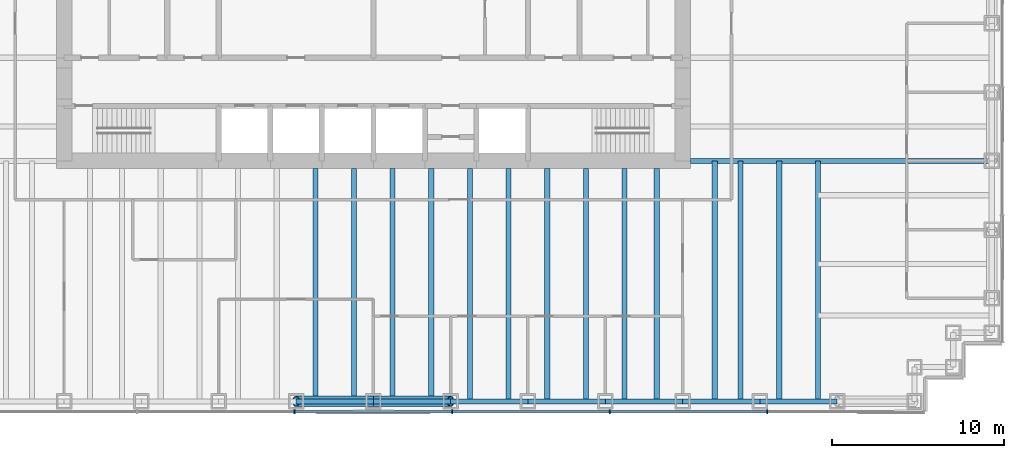
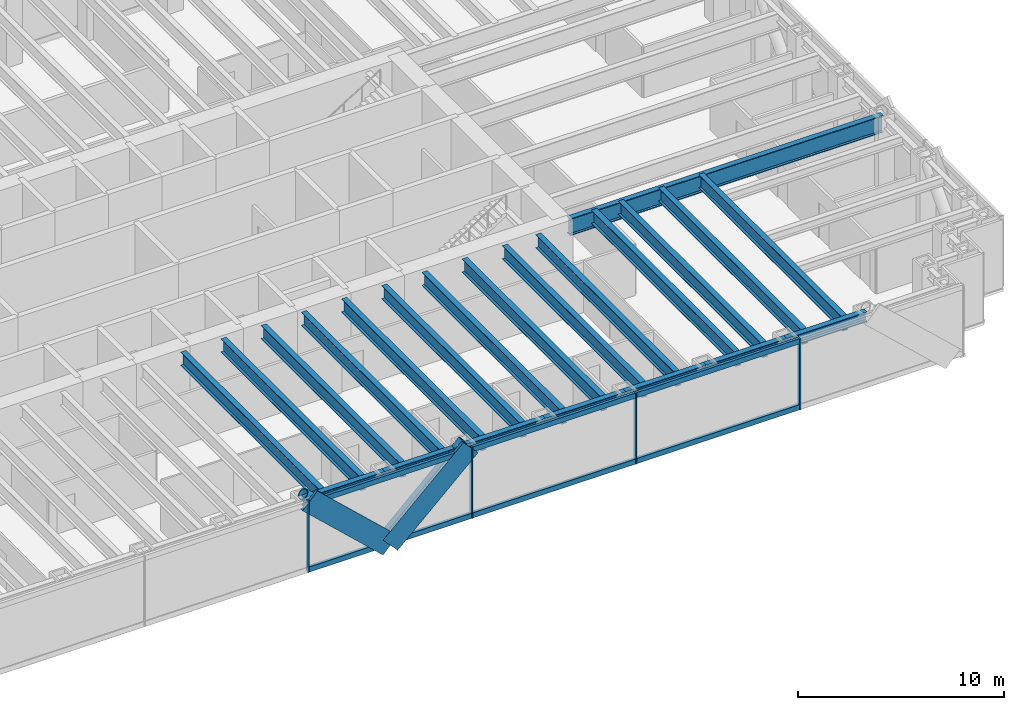
# One storey, part 4 of 15: 22 beams, 14 members, 1 element without a shape of its own.
"""IFC4 building model written with IfcOpenShell, lengths in metres."""

from ifc_helpers import new_model, si_unit, direction, frame, origin, origin_2d, place, context, subcontext, project, spatial, rectangle, hollow_circle, i_section, extrude, material, material_profile, profile_set, type_object, element, aggregate, save


model = new_model("IFC4")

# Units and contexts
model_context = context("Model", 3, precision=1e-05, world=origin(), true_north=direction((0.0, 1.0)))
body_context = subcontext(model_context, "Body", "Model", "MODEL_VIEW")
ifc_project = project(units=[si_unit("LENGTHUNIT", "METRE"), si_unit("AREAUNIT", "SQUARE_METRE"), si_unit("VOLUMEUNIT", "CUBIC_METRE"), si_unit("PLANEANGLEUNIT", "RADIAN"), si_unit("MASSUNIT", "GRAM", prefix="KILO")], contexts=[model_context])

# Site, building, storey
site_placement = place(None, origin())
site = spatial("IfcSite", under=ifc_project, at=site_placement, CompositionType="ELEMENT")
building_placement = place(site_placement, origin())
building = spatial("IfcBuilding", under=site, at=building_placement, Name="Rheinbord Bourse Tower", CompositionType="ELEMENT")
storey_placement = place(building_placement, frame((0.0, 0.0, 125.699951171875)))
storey = spatial("IfcBuildingStorey", under=building, at=storey_placement, Name="L27", CompositionType="ELEMENT", Elevation=125.699951171875)

# Curtain wall, members
ifc_material_1 = material(Name="Dark glass and black aluminium", Category="aluminium")
curtain_wall_type = type_object("IfcCurtainWallType", Name="CW2 DARK GLASS CURTAIN WALL", PredefinedType="USERDEFINED", material=ifc_material_1)
curtain_wall_placement = place(storey_placement, origin())
curtain_wall = element("IfcCurtainWall", 1, at=curtain_wall_placement, inside=storey, type_object=curtain_wall_type, Name="Curtain wall CW2 S L27", ObjectType="UNITISED CURTAIN WALL", PredefinedType="USERDEFINED")
ifc_material_2 = material(Name="Black anodised aluminium", Category="aluminium")
ifc_material_profile_1 = material_profile(ifc_material_2, rectangle(XDim=0.159912109375, YDim=1.2099609375, at=origin_2d()), Name="CW2 DIAGONAL MULLION 1210x160")
ifc_profile_set_1 = profile_set([ifc_material_profile_1], Name="Black anodised aluminium")
member_type_1 = type_object("IfcMemberType", Name="CW2 BLACK DIAGONAL MULLION", PredefinedType="USERDEFINED", material=ifc_profile_set_1)
member_1_placement = place(storey_placement, frame((36.0, 1.39990234375, 0.0), z_axis=(0.73105922506, 0.0, 0.682314010889), x_axis=(0.0, 1.0, 0.0)))
member_1 = element("IfcMember", 2, at=member_1_placement, type_object=member_type_1, Name="CW2 diagonal mullion c", ObjectType="DIAGONAL MULLION", PredefinedType="USERDEFINED", context=body_context, shape_type="SweptSolid", body=[
    extrude(rectangle(XDim=0.159912109375, YDim=1.2099609375, at=origin_2d()), origin(), (0.0, 0.0, 1.0), 6.155517578125),
])
member_2_placement = place(storey_placement, frame((36.0, 1.39990234375, 0.0), z_axis=(-0.73105922506, 0.0, 0.682314010889), x_axis=(0.0, -1.0, 0.0)))
member_2 = element("IfcMember", 3, at=member_2_placement, type_object=member_type_1, Name="CW2 diagonal mullion d", ObjectType="DIAGONAL MULLION", PredefinedType="USERDEFINED", context=body_context, shape_type="SweptSolid", body=[
    extrude(rectangle(XDim=0.159912109375, YDim=1.2099609375, at=origin_2d()), origin(), (0.0, 0.0, 1.0), 6.155517578125),
])
ifc_material_3 = material(Name="Black anodised aluminium", Category="aluminium")
ifc_material_profile_2 = material_profile(ifc_material_3, rectangle(XDim=0.219970703125, YDim=0.070068359375, at=origin_2d()), Name="CW2 MULLION 70x220")
ifc_profile_set_2 = profile_set([ifc_material_profile_2], Name="Black anodised aluminium")
member_type_2 = type_object("IfcMemberType", Name="CW2 BLACK MULLION", PredefinedType="MULLION", material=ifc_profile_set_2)
member_3_placement = place(storey_placement, frame((31.414306640625, 1.39990234375, 0.0), z_axis=(0.0, 0.0, 1.0), x_axis=(0.0, 1.0, 0.0)))
member_3 = element("IfcMember", 4, at=member_3_placement, type_object=member_type_2, Name="CW2 mullion 4", PredefinedType="MULLION", context=body_context, shape_type="SweptSolid", body=[
    extrude(rectangle(XDim=0.219970703125, YDim=0.070068359375, at=origin_2d()), origin(), (0.0, 0.0, 1.0), 4.199951171875),
])
member_4_placement = place(storey_placement, frame((40.585693359375, 1.39990234375, 0.0), z_axis=(0.0, 0.0, 1.0), x_axis=(0.0, 1.0, 0.0)))
member_4 = element("IfcMember", 5, at=member_4_placement, type_object=member_type_2, Name="CW2 mullion 5", PredefinedType="MULLION", context=body_context, shape_type="SweptSolid", body=[
    extrude(rectangle(XDim=0.219970703125, YDim=0.070068359375, at=origin_2d()), origin(), (0.0, 0.0, 1.0), 4.199951171875),
])
member_5_placement = place(storey_placement, frame((49.757080078125, 1.39990234375, 0.0), z_axis=(0.0, 0.0, 1.0), x_axis=(0.0, 1.0, 0.0)))
member_5 = element("IfcMember", 6, at=member_5_placement, type_object=member_type_2, Name="CW2 mullion 6", PredefinedType="MULLION", context=body_context, shape_type="SweptSolid", body=[
    extrude(rectangle(XDim=0.219970703125, YDim=0.070068359375, at=origin_2d()), origin(), (0.0, 0.0, 1.0), 4.199951171875),
])
member_6_placement = place(storey_placement, frame((58.928466796875, 1.39990234375, 0.0), z_axis=(0.0, 0.0, 1.0), x_axis=(0.0, 1.0, 0.0)))
member_6 = element("IfcMember", 7, at=member_6_placement, type_object=member_type_2, Name="CW2 mullion 7", PredefinedType="MULLION", context=body_context, shape_type="SweptSolid", body=[
    extrude(rectangle(XDim=0.219970703125, YDim=0.070068359375, at=origin_2d()), origin(), (0.0, 0.0, 1.0), 4.199951171875),
])
ifc_material_4 = material(Name="Black anodised aluminium", Category="aluminium")
ifc_material_profile_3 = material_profile(ifc_material_4, rectangle(XDim=0.159912109375, YDim=0.300048828125, at=origin_2d()), Name="CW2 TRANSOM 300x160")
ifc_profile_set_3 = profile_set([ifc_material_profile_3], Name="Black anodised aluminium")
member_type_3 = type_object("IfcMemberType", Name="CW2 BLACK TRANSOM", PredefinedType="USERDEFINED", material=ifc_profile_set_3)
member_7_placement = place(storey_placement, frame((31.44921875, 1.39990234375, 0.150146484375), z_axis=(1.0, 0.0, 0.0), x_axis=(0.0, 1.0, 0.0)))
member_7 = element("IfcMember", 8, at=member_7_placement, type_object=member_type_3, Name="CW2 transom 4.1", ObjectType="TRANSOM", PredefinedType="USERDEFINED", context=body_context, shape_type="SweptSolid", body=[
    extrude(rectangle(XDim=0.159912109375, YDim=0.300048828125, at=origin_2d()), origin(), (0.0, 0.0, 1.0), 9.1015625),
])
member_8_placement = place(storey_placement, frame((31.44921875, 1.39990234375, 4.050048828125), z_axis=(1.0, 0.0, 0.0), x_axis=(0.0, 1.0, 0.0)))
member_8 = element("IfcMember", 9, at=member_8_placement, type_object=member_type_3, Name="CW2 transom 4.2", ObjectType="TRANSOM", PredefinedType="USERDEFINED", context=body_context, shape_type="SweptSolid", body=[
    extrude(rectangle(XDim=0.159912109375, YDim=0.300048828125, at=origin_2d()), origin(), (0.0, 0.0, 1.0), 9.1015625),
])
member_9_placement = place(storey_placement, frame((40.62060546875, 1.39990234375, 0.150146484375), z_axis=(1.0, 0.0, 0.0), x_axis=(0.0, 1.0, 0.0)))
member_9 = element("IfcMember", 10, at=member_9_placement, type_object=member_type_3, Name="CW2 transom 5.1", ObjectType="TRANSOM", PredefinedType="USERDEFINED", context=body_context, shape_type="SweptSolid", body=[
    extrude(rectangle(XDim=0.159912109375, YDim=0.300048828125, at=origin_2d()), origin(), (0.0, 0.0, 1.0), 9.1015625),
])
member_10_placement = place(storey_placement, frame((40.62060546875, 1.39990234375, 4.050048828125), z_axis=(1.0, 0.0, 0.0), x_axis=(0.0, 1.0, 0.0)))
member_10 = element("IfcMember", 11, at=member_10_placement, type_object=member_type_3, Name="CW2 transom 5.2", ObjectType="TRANSOM", PredefinedType="USERDEFINED", context=body_context, shape_type="SweptSolid", body=[
    extrude(rectangle(XDim=0.159912109375, YDim=0.300048828125, at=origin_2d()), origin(), (0.0, 0.0, 1.0), 9.1015625),
])
member_11_placement = place(storey_placement, frame((49.792236328125, 1.39990234375, 0.150146484375), z_axis=(1.0, 0.0, 0.0), x_axis=(0.0, 1.0, 0.0)))
member_11 = element("IfcMember", 12, at=member_11_placement, type_object=member_type_3, Name="CW2 transom 6.1", ObjectType="TRANSOM", PredefinedType="USERDEFINED", context=body_context, shape_type="SweptSolid", body=[
    extrude(rectangle(XDim=0.159912109375, YDim=0.300048828125, at=origin_2d()), origin(), (0.0, 0.0, 1.0), 9.101318359375),
])
member_12_placement = place(storey_placement, frame((49.792236328125, 1.39990234375, 4.050048828125), z_axis=(1.0, 0.0, 0.0), x_axis=(0.0, 1.0, 0.0)))
member_12 = element("IfcMember", 13, at=member_12_placement, type_object=member_type_3, Name="CW2 transom 6.2", ObjectType="TRANSOM", PredefinedType="USERDEFINED", context=body_context, shape_type="SweptSolid", body=[
    extrude(rectangle(XDim=0.159912109375, YDim=0.300048828125, at=origin_2d()), origin(), (0.0, 0.0, 1.0), 9.101318359375),
])
aggregate(curtain_wall, [member_3, member_4, member_5, member_6, member_7, member_8, member_9, member_10, member_11, member_12, member_1, member_2])

# Beams
ifc_material_5 = material(Name="Steel S460", Category="steel")
ifc_material_profile_4 = material_profile(ifc_material_5, i_section(OverallWidth=0.300048828125, OverallDepth=0.800048828125, WebThickness=0.017578125, FlangeThickness=0.032958984375, at=origin_2d()), Name="HEB 800")
ifc_profile_set_4 = profile_set([ifc_material_profile_4], Name="Steel S460")
beam_type_1 = type_object("IfcBeamType", Name="FLOOR BEAM HEB 800", PredefinedType="BEAM", material=ifc_profile_set_4)
for number, where, z_axis, x_axis, name in (
    (14, (32.625, 2.0, 3.64013671875), (0.0, 1.0, 0.0), (-1.0, 0.0, 0.0), "Floor beam S-31.5a L28"),
    (15, (34.875, 2.0, 3.64013671875), (0.0, 1.0, 0.0), (-1.0, 0.0, 0.0), "Floor beam S-31.5b L28"),
    (16, (37.125, 2.0, 3.64013671875), (0.0, 1.0, 0.0), (-1.0, 0.0, 0.0), "Floor beam S-36a L28"),
    (17, (39.375, 2.0, 3.64013671875), (0.0, 1.0, 0.0), (-1.0, 0.0, 0.0), "Floor beam S-36b L28"),
    (18, (41.625, 2.0, 3.64013671875), (0.0, 1.0, 0.0), (-1.0, 0.0, 0.0), "Floor beam S-40.5a L28"),
    (19, (43.875, 2.0, 3.64013671875), (0.0, 1.0, 0.0), (-1.0, 0.0, 0.0), "Floor beam S-40.5b L28"),
    (20, (46.125, 2.0, 3.64013671875), (0.0, 1.0, 0.0), (-1.0, 0.0, 0.0), "Floor beam S-45a L28"),
    (21, (48.375, 2.0, 3.64013671875), (0.0, 1.0, 0.0), (-1.0, 0.0, 0.0), "Floor beam S-45b L28"),
    (22, (50.625, 2.0, 3.64013671875), (0.0, 1.0, 0.0), (-1.0, 0.0, 0.0), "Floor beam S-49.5a L28"),
    (23, (52.5, 2.0, 3.64013671875), (0.0, 1.0, 0.0), (-1.0, 0.0, 0.0), "Floor beam S-49.5b L28"),
):
    element("IfcBeam", number, at=place(storey_placement, frame(where, z_axis=z_axis, x_axis=x_axis)), inside=storey, type_object=beam_type_1, Name=name, PredefinedType="BEAM", context=body_context, shape_type="SweptSolid", body=[
        extrude(i_section(OverallWidth=0.300048828125, OverallDepth=0.800048828125, WebThickness=0.017578125, FlangeThickness=0.032958984375, at=origin_2d()), origin(), (0.0, 0.0, 1.0), 13.550048828125),
    ])
for number, where, z_axis, x_axis, name in (
    (24, (55.875, 2.0, 3.64013671875), (0.0, 1.0, 0.0), (-1.0, 0.0, 0.0), "Floor beam S-54a L28"),
    (25, (57.375, 2.0, 3.64013671875), (0.0, 1.0, 0.0), (-1.0, 0.0, 0.0), "Floor beam S-54b L28"),
    (26, (59.625, 2.0, 3.64013671875), (0.0, 1.0, 0.0), (-1.0, 0.0, 0.0), "Floor beam S-58.5a L28"),
    (27, (61.875, 2.0, 3.64013671875), (0.0, 1.0, 0.0), (-1.0, 0.0, 0.0), "Floor beam S-58.5b L28"),
):
    element("IfcBeam", number, at=place(storey_placement, frame(where, z_axis=z_axis, x_axis=x_axis)), inside=storey, type_object=beam_type_1, Name=name, PredefinedType="BEAM", context=body_context, shape_type="SweptSolid", body=[
        extrude(i_section(OverallWidth=0.300048828125, OverallDepth=0.800048828125, WebThickness=0.017578125, FlangeThickness=0.032958984375, at=origin_2d()), origin(), (0.0, 0.0, 1.0), 14.0),
    ])
ifc_material_6 = material(Name="Steel S460", Category="steel")
ifc_material_profile_5 = material_profile(ifc_material_6, i_section(OverallWidth=0.302001953125, OverallDepth=1.008056640625, WebThickness=0.02099609375, FlangeThickness=0.0400390625, at=origin_2d()), Name="HEM 1000")
ifc_profile_set_5 = profile_set([ifc_material_profile_5], Name="Steel S460")
beam_type_2 = type_object("IfcBeamType", Name="GIRDER HEM 1000", PredefinedType="BEAM", material=ifc_profile_set_5)
beam_placement = place(storey_placement, frame((54.449951171875, 16.0, 3.5361328125), z_axis=(1.0, 0.0, 0.0), x_axis=(0.0, 1.0, 0.0)))
element("IfcBeam", 28, at=beam_placement, inside=storey, type_object=beam_type_2, Name="Girder east 16 L28", PredefinedType="BEAM", context=body_context, shape_type="SweptSolid", body=[
    extrude(i_section(OverallWidth=0.302001953125, OverallDepth=1.008056640625, WebThickness=0.02099609375, FlangeThickness=0.0400390625, at=origin_2d()), origin(), (0.0, 0.0, 1.0), 17.550048828125),
])

# Members
ifc_material_7 = material(Name="Steel S460", Category="steel")
ifc_material_profile_6 = material_profile(ifc_material_7, hollow_circle(Radius=0.304931640625, WallThickness=0.0400390625, at=origin_2d()), Name="CHS 610x40")
ifc_profile_set_6 = profile_set([ifc_material_profile_6], Name="Steel S460")
member_type_4 = type_object("IfcMemberType", Name="MEGABRACE CHS 610x40", PredefinedType="BRACE", material=ifc_profile_set_6)
for number, where, z_axis, x_axis, name in (
    (29, (36.0, 2.0, 0.0), (0.73105922506, 0.0, 0.682314010889), (0.0, 1.0, 0.0), "Megabrace S face line c L27"),
    (30, (36.0, 2.0, 0.0), (-0.73105922506, 0.0, 0.682314010889), (0.0, -1.0, 0.0), "Megabrace S face line d L27"),
):
    element("IfcMember", number, at=place(storey_placement, frame(where, z_axis=z_axis, x_axis=x_axis)), inside=storey, type_object=member_type_4, Name=name, PredefinedType="BRACE", context=body_context, shape_type="SweptSolid", body=[
        extrude(hollow_circle(Radius=0.304931640625, WallThickness=0.0400390625, at=origin_2d()), origin(), (0.0, 0.0, 1.0), 6.155517578125),
    ])

# Beams
ifc_material_8 = material(Name="Steel S460", Category="steel")
ifc_material_profile_7 = material_profile(ifc_material_8, i_section(OverallWidth=0.305908203125, OverallDepth=0.572021484375, WebThickness=0.02099609375, FlangeThickness=0.0400390625, at=origin_2d()), Name="HEM 550")
ifc_profile_set_7 = profile_set([ifc_material_profile_7], Name="Steel S460")
beam_type_3 = type_object("IfcBeamType", Name="SPANDREL HEM 550", PredefinedType="SPANDREL", material=ifc_profile_set_7)
for number, where, z_axis, x_axis, name in (
    (31, (31.5, 2.0, 3.754150390625), (1.0, 0.0, 0.0), (0.0, 1.0, 0.0), "Spandrel S-31.5-S-36 under L28"),
    (32, (36.0, 2.0, 3.754150390625), (1.0, 0.0, 0.0), (0.0, 1.0, 0.0), "Spandrel S-36-S-40.5 under L28"),
    (33, (40.5, 2.0, 3.754150390625), (1.0, 0.0, 0.0), (0.0, 1.0, 0.0), "Spandrel S-40.5-S-45 under L28"),
    (34, (45.0, 2.0, 3.754150390625), (1.0, 0.0, 0.0), (0.0, 1.0, 0.0), "Spandrel S-45-S-49.5 under L28"),
    (35, (49.5, 2.0, 3.754150390625), (1.0, 0.0, 0.0), (0.0, 1.0, 0.0), "Spandrel S-49.5-S-54 under L28"),
    (36, (54.0, 2.0, 3.754150390625), (1.0, 0.0, 0.0), (0.0, 1.0, 0.0), "Spandrel S-54-S-58.5 under L28"),
    (37, (58.5, 2.0, 3.754150390625), (1.0, 0.0, 0.0), (0.0, 1.0, 0.0), "Spandrel S-58.5-S-63 under L28"),
):
    element("IfcBeam", number, at=place(storey_placement, frame(where, z_axis=z_axis, x_axis=x_axis)), inside=storey, type_object=beam_type_3, Name=name, PredefinedType="SPANDREL", context=body_context, shape_type="SweptSolid", body=[
        extrude(i_section(OverallWidth=0.305908203125, OverallDepth=0.572021484375, WebThickness=0.02099609375, FlangeThickness=0.0400390625, at=origin_2d()), origin(), (0.0, 0.0, 1.0), 4.5),
    ])

save(model, "model.ifc")
